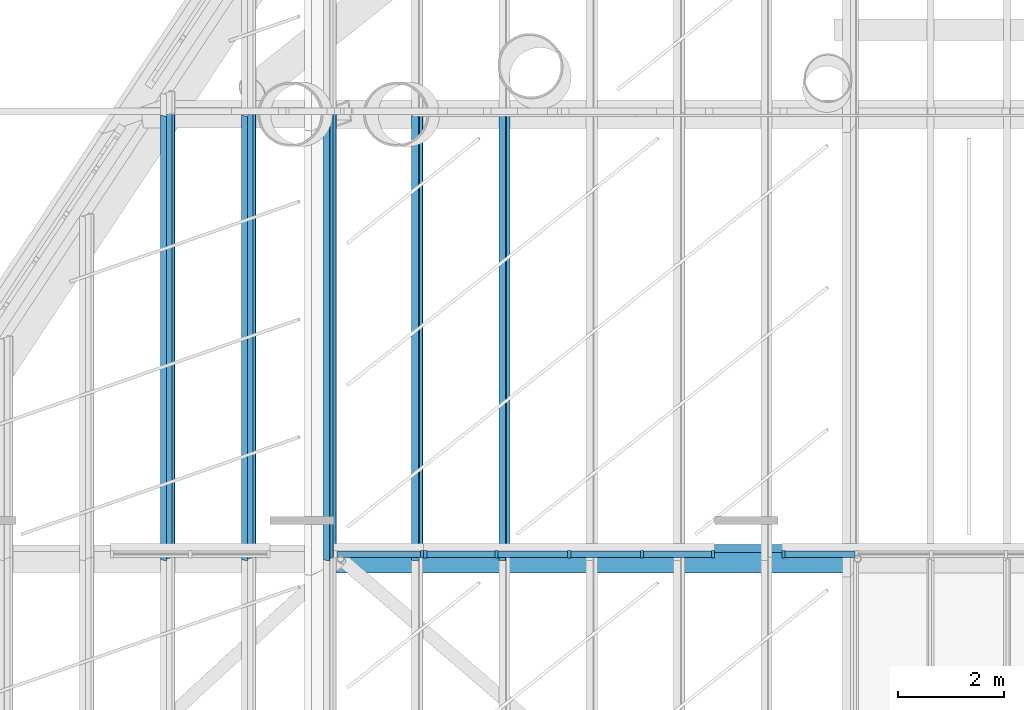
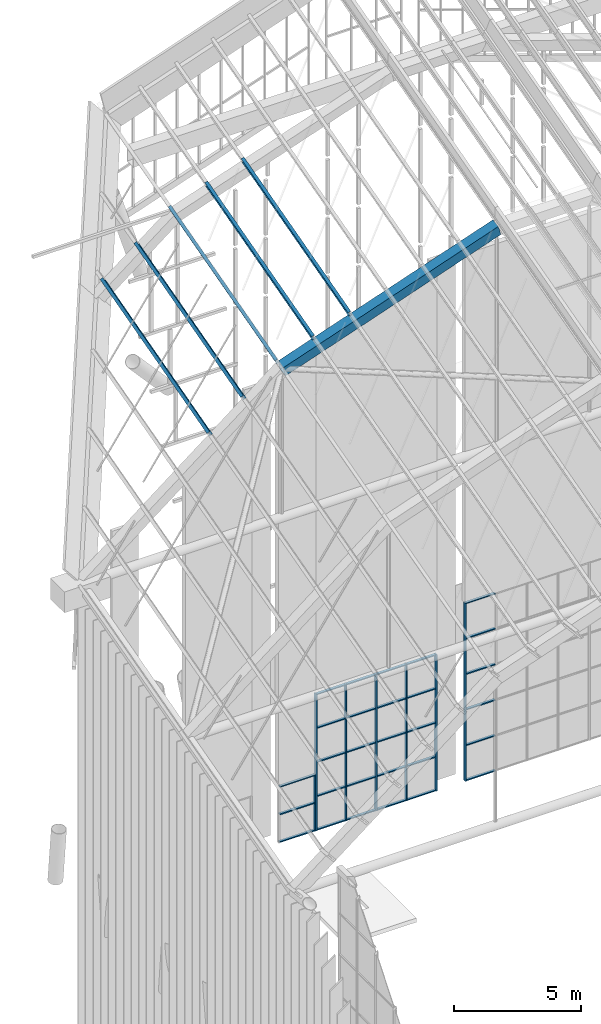
# One storey, part 55 of 126: 41 members, 1 beam, 3 elements without a shape of their own.
"""IFC4 building model written with IfcOpenShell, lengths in metres."""

from ifc_helpers import new_model, si_unit, direction, frame, origin, origin_2d, place, context, subcontext, project, spatial, polyline, rectangle, i_section, outline, extrude, material, material_profile, profile_set, type_object, element, aggregate, save


model = new_model("IFC4")

# Units and contexts
model_context = context("Model", 3, precision=1e-05, world=origin(), true_north=direction((0.0, 1.0)))
body_context = subcontext(model_context, "Body", "Model", "MODEL_VIEW")
ifc_project = project(units=[si_unit("LENGTHUNIT", "METRE"), si_unit("AREAUNIT", "SQUARE_METRE"), si_unit("VOLUMEUNIT", "CUBIC_METRE"), si_unit("PLANEANGLEUNIT", "RADIAN"), si_unit("MASSUNIT", "GRAM", prefix="KILO")], contexts=[model_context])

# Site, building, storey
site_placement = place(None, origin())
site = spatial("IfcSite", under=ifc_project, at=site_placement, CompositionType="ELEMENT")
building_placement = place(site_placement, origin())
building = spatial("IfcBuilding", under=site, at=building_placement, Name="Sava Quay Ferry Terminal", CompositionType="ELEMENT")
storey_placement = place(building_placement, frame((0.0, 0.0, 15.0)))
storey = spatial("IfcBuildingStorey", under=building, at=storey_placement, Name="L03", CompositionType="ELEMENT", Elevation=15.0)

# Beam
ifc_material_1 = material(Name="Steel S355", Category="steel")
ifc_material_profile_1 = material_profile(ifc_material_1, outline(polyline([(-0.199951171875, -0.300048828125), (0.199951171875, -0.300048828125), (0.199951171875, 0.300048828125), (-0.199951171875, 0.300048828125), (-0.199951171875, -0.300048828125)]), holes=[polyline([(-0.175048828125, -0.27490234375), (-0.175048828125, 0.27490234375), (0.175048828125, 0.27490234375), (0.175048828125, -0.27490234375), (-0.175048828125, -0.27490234375)])]), Name="Box 600x400x25 built-up")
ifc_profile_set_1 = profile_set([ifc_material_profile_1], Name="Steel S355")
beam_type = type_object("IfcBeamType", Name="D folded rib Box 600x400x25", PredefinedType="BEAM", material=ifc_profile_set_1)
beam_placement = place(storey_placement, frame((51.1298828125, 100.800048828125, 22.758056640625), z_axis=(0.945513501922, 0.0, 0.325582889112), x_axis=(-0.081534005611, 0.968136073541, 0.236779959111)))
element("IfcBeam", 1, at=beam_placement, inside=storey, type_object=beam_type, Name="Departure hall folded rib R6 seg 2", PredefinedType="BEAM", context=body_context, shape_type="SweptSolid", body=[
    extrude(outline(polyline([(-0.199951171875, -0.300048828125), (0.199951171875, -0.300048828125), (0.199951171875, 0.300048828125), (-0.199951171875, 0.300048828125), (-0.199951171875, -0.300048828125)]), holes=[polyline([(-0.175048828125, -0.27490234375), (-0.175048828125, 0.27490234375), (0.175048828125, 0.27490234375), (0.175048828125, -0.27490234375), (-0.175048828125, -0.27490234375)])]), origin(), (0.0, 0.0, 1.0), 10.3330078125),
])

# Curtain wall, member
ifc_material_2 = material(Name="Aluminium and glass curtain wall, double low-e glazed", Category="aluminium")
curtain_wall_type = type_object("IfcCurtainWallType", Name="Curtain wall CW-G gable", PredefinedType="NOTDEFINED", material=ifc_material_2)
curtain_wall_1_placement = place(storey_placement, origin())
curtain_wall_1 = element("IfcCurtainWall", 2, at=curtain_wall_1_placement, inside=storey, type_object=curtain_wall_type, Name="Curtain wall D-N L03 bay 12", PredefinedType="NOTDEFINED")
ifc_material_3 = material(Name="Aluminium EN AW-6063 T6", Category="aluminium")
ifc_material_profile_2 = material_profile(ifc_material_3, rectangle(XDim=0.14990234375, YDim=0.06005859375, at=origin_2d()), Name="Mullion 60x150 aluminium")
ifc_profile_set_2 = profile_set([ifc_material_profile_2], Name="Aluminium EN AW-6063 T6")
member_type_1 = type_object("IfcMemberType", Name="Mullion 60x150 aluminium", PredefinedType="MULLION", material=ifc_profile_set_2)
member_1_placement = place(storey_placement, frame((52.669921875, 100.885009765625, 0.0), z_axis=(0.0, 0.0, 1.0), x_axis=(0.0, 1.0, 0.0)))
member_1 = element("IfcMember", 3, at=member_1_placement, type_object=member_type_1, Name="CW64 mullion 2", PredefinedType="MULLION", context=body_context, shape_type="SweptSolid", body=[
    extrude(rectangle(XDim=0.14990234375, YDim=0.06005859375, at=origin_2d()), origin(), (0.0, 0.0, 1.0), 2.699951171875),
])

# Curtain wall, members
curtain_wall_2_placement = place(storey_placement, origin())
curtain_wall_2 = element("IfcCurtainWall", 4, at=curtain_wall_2_placement, inside=storey, type_object=curtain_wall_type, Name="Curtain wall D-N L03 bay 21", PredefinedType="NOTDEFINED")
member_2_placement = place(storey_placement, frame((52.72998046875, 100.885009765625, 0.0), z_axis=(0.0, 0.0, 1.0), x_axis=(0.0, 1.0, 0.0)))
member_2 = element("IfcMember", 5, at=member_2_placement, type_object=member_type_1, Name="CW68 mullion 1", PredefinedType="MULLION", context=body_context, shape_type="SweptSolid", body=[
    extrude(rectangle(XDim=0.14990234375, YDim=0.06005859375, at=origin_2d()), origin(), (0.0, 0.0, 1.0), 6.550048828125),
])
member_3_placement = place(storey_placement, frame((54.074951171875, 100.885009765625, 0.0), z_axis=(0.0, 0.0, 1.0), x_axis=(0.0, 1.0, 0.0)))
member_3 = element("IfcMember", 6, at=member_3_placement, type_object=member_type_1, Name="CW68 mullion 2", PredefinedType="MULLION", context=body_context, shape_type="SweptSolid", body=[
    extrude(rectangle(XDim=0.14990234375, YDim=0.06005859375, at=origin_2d()), origin(), (0.0, 0.0, 1.0), 6.550048828125),
])
member_4_placement = place(storey_placement, frame((55.449951171875, 100.885009765625, 0.0), z_axis=(0.0, 0.0, 1.0), x_axis=(0.0, 1.0, 0.0)))
member_4 = element("IfcMember", 7, at=member_4_placement, type_object=member_type_1, Name="CW68 mullion 3", PredefinedType="MULLION", context=body_context, shape_type="SweptSolid", body=[
    extrude(rectangle(XDim=0.14990234375, YDim=0.06005859375, at=origin_2d()), origin(), (0.0, 0.0, 1.0), 6.550048828125),
])
member_5_placement = place(storey_placement, frame((56.824951171875, 100.885009765625, 0.0), z_axis=(0.0, 0.0, 1.0), x_axis=(0.0, 1.0, 0.0)))
member_5 = element("IfcMember", 8, at=member_5_placement, type_object=member_type_1, Name="CW68 mullion 4", PredefinedType="MULLION", context=body_context, shape_type="SweptSolid", body=[
    extrude(rectangle(XDim=0.14990234375, YDim=0.06005859375, at=origin_2d()), origin(), (0.0, 0.0, 1.0), 6.550048828125),
])
member_6_placement = place(storey_placement, frame((58.169921875, 100.885009765625, 0.0), z_axis=(0.0, 0.0, 1.0), x_axis=(0.0, 1.0, 0.0)))
member_6 = element("IfcMember", 9, at=member_6_placement, type_object=member_type_1, Name="CW68 mullion 5", PredefinedType="MULLION", context=body_context, shape_type="SweptSolid", body=[
    extrude(rectangle(XDim=0.14990234375, YDim=0.06005859375, at=origin_2d()), origin(), (0.0, 0.0, 1.0), 6.550048828125),
])

# Curtain wall, member
curtain_wall_3_placement = place(storey_placement, origin())
curtain_wall_3 = element("IfcCurtainWall", 10, at=curtain_wall_3_placement, inside=storey, type_object=curtain_wall_type, Name="Curtain wall D-N L03 bay 31", PredefinedType="NOTDEFINED")
member_7_placement = place(storey_placement, frame((59.5, 100.885009765625, 0.0), z_axis=(0.0, 0.0, 1.0), x_axis=(0.0, 1.0, 0.0)))
member_7 = element("IfcMember", 11, at=member_7_placement, type_object=member_type_1, Name="CW72 mullion 1", PredefinedType="MULLION", context=body_context, shape_type="SweptSolid", body=[
    extrude(rectangle(XDim=0.14990234375, YDim=0.06005859375, at=origin_2d()), origin(), (0.0, 0.0, 1.0), 8.550048828125),
])

# Members
ifc_material_4 = material(Name="Steel S355", Category="steel")
ifc_material_profile_3 = material_profile(ifc_material_4, i_section(OverallWidth=0.135009765625, OverallDepth=0.27001953125, WebThickness=0.006591796875, FlangeThickness=0.01025390625, at=origin_2d()), Name="IPE 270")
ifc_profile_set_3 = profile_set([ifc_material_profile_3], Name="Steel S355")
member_type_2 = type_object("IfcMemberType", Name="Roof purlin IPE 270", PredefinedType="PURLIN", material=ifc_profile_set_3)
for number, where, z_axis, x_axis, name in (
    (12, (47.86279296875, 100.800048828125, 20.770263671875), (0.0, 0.964553254836, 0.263888269132), (-0.798620025874, 0.158817347079, -0.580502458685), "Departure hall purlin bay 7 M0.4"),
    (13, (49.39404296875, 100.800048828125, 21.966552734375), (0.0, 0.964553254836, 0.263888269132), (-0.798620025874, 0.158817347079, -0.580502458685), "Departure hall purlin bay 7 M0.5"),
    (14, (50.92529296875, 100.800048828125, 23.162841796875), (0.0, 0.964553254836, 0.263888269132), (-0.885499005285, 0.122613381034, -0.448171251232), "Departure hall purlin bay 7 V1"),
    (15, (52.575927734375, 100.800048828125, 23.731201171875), (0.0, 0.964553254836, 0.263888269132), (-0.949027169883, 0.0831760716, -0.3040216636), "Departure hall purlin bay 7 M1.1"),
    (16, (54.2265625, 100.800048828125, 24.299560546875), (0.0, 0.964553254836, 0.263888269132), (-0.949027169883, 0.0831760716, -0.3040216636), "Departure hall purlin bay 7 M1.2"),
):
    element("IfcMember", number, at=place(storey_placement, frame(where, z_axis=z_axis, x_axis=x_axis)), inside=storey, type_object=member_type_2, Name=name, PredefinedType="PURLIN", context=body_context, shape_type="SweptSolid", body=[
        extrude(i_section(OverallWidth=0.135009765625, OverallDepth=0.27001953125, WebThickness=0.006591796875, FlangeThickness=0.01025390625, at=origin_2d()), origin(), (0.0, 0.0, 1.0), 8.70849609375),
    ])

# Member
ifc_material_5 = material(Name="Aluminium EN AW-6063 T6", Category="aluminium")
ifc_material_profile_4 = material_profile(ifc_material_5, rectangle(XDim=0.1201171875, YDim=0.050048828125, at=origin_2d()), Name="Transom 50x120 aluminium")
ifc_profile_set_4 = profile_set([ifc_material_profile_4], Name="Aluminium EN AW-6063 T6")
member_type_3 = type_object("IfcMemberType", Name="Transom 50x120 aluminium", PredefinedType="USERDEFINED", material=ifc_profile_set_4)
member_8_placement = place(storey_placement, frame((51.06005859375, 100.885009765625, 0.02490234375), z_axis=(1.0, 0.0, 0.0), x_axis=(0.0, 1.0, 0.0)))
member_8 = element("IfcMember", 17, at=member_8_placement, type_object=member_type_3, Name="CW64 transom 1.1", ObjectType="TRANSOM", PredefinedType="USERDEFINED", context=body_context, shape_type="SweptSolid", body=[
    extrude(rectangle(XDim=0.1201171875, YDim=0.050048828125, at=origin_2d()), origin(), (0.0, 0.0, 1.0), 1.579833984375),
])

member_9_placement = place(storey_placement, frame((51.06005859375, 100.885009765625, 1.35009765625), z_axis=(1.0, 0.0, 0.0), x_axis=(0.0, 1.0, 0.0)))
member_9 = element("IfcMember", 18, at=member_9_placement, type_object=member_type_3, Name="CW64 transom 1.2", ObjectType="TRANSOM", PredefinedType="USERDEFINED", context=body_context, shape_type="SweptSolid", body=[
    extrude(rectangle(XDim=0.1201171875, YDim=0.050048828125, at=origin_2d()), origin(), (0.0, 0.0, 1.0), 1.579833984375),
])

member_10_placement = place(storey_placement, frame((51.06005859375, 100.885009765625, 2.675048828125), z_axis=(1.0, 0.0, 0.0), x_axis=(0.0, 1.0, 0.0)))
member_10 = element("IfcMember", 19, at=member_10_placement, type_object=member_type_3, Name="CW64 transom 1.3", ObjectType="TRANSOM", PredefinedType="USERDEFINED", context=body_context, shape_type="SweptSolid", body=[
    extrude(rectangle(XDim=0.1201171875, YDim=0.050048828125, at=origin_2d()), origin(), (0.0, 0.0, 1.0), 1.579833984375),
])

aggregate(curtain_wall_1, [member_1, member_8, member_9, member_10])

member_11_placement = place(storey_placement, frame((52.760009765625, 100.885009765625, 0.02490234375), z_axis=(1.0, 0.0, 0.0), x_axis=(0.0, 1.0, 0.0)))
member_11 = element("IfcMember", 20, at=member_11_placement, type_object=member_type_3, Name="CW68 transom 1.1", ObjectType="TRANSOM", PredefinedType="USERDEFINED", context=body_context, shape_type="SweptSolid", body=[
    extrude(rectangle(XDim=0.1201171875, YDim=0.050048828125, at=origin_2d()), origin(), (0.0, 0.0, 1.0), 1.284912109375),
])

member_12_placement = place(storey_placement, frame((52.760009765625, 100.885009765625, 1.637451171875), z_axis=(1.0, 0.0, 0.0), x_axis=(0.0, 1.0, 0.0)))
member_12 = element("IfcMember", 21, at=member_12_placement, type_object=member_type_3, Name="CW68 transom 1.2", ObjectType="TRANSOM", PredefinedType="USERDEFINED", context=body_context, shape_type="SweptSolid", body=[
    extrude(rectangle(XDim=0.1201171875, YDim=0.050048828125, at=origin_2d()), origin(), (0.0, 0.0, 1.0), 1.284912109375),
])

member_13_placement = place(storey_placement, frame((52.760009765625, 100.885009765625, 3.27490234375), z_axis=(1.0, 0.0, 0.0), x_axis=(0.0, 1.0, 0.0)))
member_13 = element("IfcMember", 22, at=member_13_placement, type_object=member_type_3, Name="CW68 transom 1.3", ObjectType="TRANSOM", PredefinedType="USERDEFINED", context=body_context, shape_type="SweptSolid", body=[
    extrude(rectangle(XDim=0.1201171875, YDim=0.050048828125, at=origin_2d()), origin(), (0.0, 0.0, 1.0), 1.284912109375),
])

member_14_placement = place(storey_placement, frame((52.760009765625, 100.885009765625, 4.91259765625), z_axis=(1.0, 0.0, 0.0), x_axis=(0.0, 1.0, 0.0)))
member_14 = element("IfcMember", 23, at=member_14_placement, type_object=member_type_3, Name="CW68 transom 1.4", ObjectType="TRANSOM", PredefinedType="USERDEFINED", context=body_context, shape_type="SweptSolid", body=[
    extrude(rectangle(XDim=0.1201171875, YDim=0.050048828125, at=origin_2d()), origin(), (0.0, 0.0, 1.0), 1.284912109375),
])

member_15_placement = place(storey_placement, frame((52.760009765625, 100.885009765625, 6.52490234375), z_axis=(1.0, 0.0, 0.0), x_axis=(0.0, 1.0, 0.0)))
member_15 = element("IfcMember", 24, at=member_15_placement, type_object=member_type_3, Name="CW68 transom 1.5", ObjectType="TRANSOM", PredefinedType="USERDEFINED", context=body_context, shape_type="SweptSolid", body=[
    extrude(rectangle(XDim=0.1201171875, YDim=0.050048828125, at=origin_2d()), origin(), (0.0, 0.0, 1.0), 1.284912109375),
])

member_16_placement = place(storey_placement, frame((54.10498046875, 100.885009765625, 0.02490234375), z_axis=(1.0, 0.0, 0.0), x_axis=(0.0, 1.0, 0.0)))
member_16 = element("IfcMember", 25, at=member_16_placement, type_object=member_type_3, Name="CW68 transom 2.1", ObjectType="TRANSOM", PredefinedType="USERDEFINED", context=body_context, shape_type="SweptSolid", body=[
    extrude(rectangle(XDim=0.1201171875, YDim=0.050048828125, at=origin_2d()), origin(), (0.0, 0.0, 1.0), 1.31494140625),
])

member_17_placement = place(storey_placement, frame((54.10498046875, 100.885009765625, 1.637451171875), z_axis=(1.0, 0.0, 0.0), x_axis=(0.0, 1.0, 0.0)))
member_17 = element("IfcMember", 26, at=member_17_placement, type_object=member_type_3, Name="CW68 transom 2.2", ObjectType="TRANSOM", PredefinedType="USERDEFINED", context=body_context, shape_type="SweptSolid", body=[
    extrude(rectangle(XDim=0.1201171875, YDim=0.050048828125, at=origin_2d()), origin(), (0.0, 0.0, 1.0), 1.31494140625),
])

member_18_placement = place(storey_placement, frame((54.10498046875, 100.885009765625, 3.27490234375), z_axis=(1.0, 0.0, 0.0), x_axis=(0.0, 1.0, 0.0)))
member_18 = element("IfcMember", 27, at=member_18_placement, type_object=member_type_3, Name="CW68 transom 2.3", ObjectType="TRANSOM", PredefinedType="USERDEFINED", context=body_context, shape_type="SweptSolid", body=[
    extrude(rectangle(XDim=0.1201171875, YDim=0.050048828125, at=origin_2d()), origin(), (0.0, 0.0, 1.0), 1.31494140625),
])

member_19_placement = place(storey_placement, frame((54.10498046875, 100.885009765625, 4.91259765625), z_axis=(1.0, 0.0, 0.0), x_axis=(0.0, 1.0, 0.0)))
member_19 = element("IfcMember", 28, at=member_19_placement, type_object=member_type_3, Name="CW68 transom 2.4", ObjectType="TRANSOM", PredefinedType="USERDEFINED", context=body_context, shape_type="SweptSolid", body=[
    extrude(rectangle(XDim=0.1201171875, YDim=0.050048828125, at=origin_2d()), origin(), (0.0, 0.0, 1.0), 1.31494140625),
])

member_20_placement = place(storey_placement, frame((54.10498046875, 100.885009765625, 6.52490234375), z_axis=(1.0, 0.0, 0.0), x_axis=(0.0, 1.0, 0.0)))
member_20 = element("IfcMember", 29, at=member_20_placement, type_object=member_type_3, Name="CW68 transom 2.5", ObjectType="TRANSOM", PredefinedType="USERDEFINED", context=body_context, shape_type="SweptSolid", body=[
    extrude(rectangle(XDim=0.1201171875, YDim=0.050048828125, at=origin_2d()), origin(), (0.0, 0.0, 1.0), 1.31494140625),
])

member_21_placement = place(storey_placement, frame((55.47998046875, 100.885009765625, 0.02490234375), z_axis=(1.0, 0.0, 0.0), x_axis=(0.0, 1.0, 0.0)))
member_21 = element("IfcMember", 30, at=member_21_placement, type_object=member_type_3, Name="CW68 transom 3.1", ObjectType="TRANSOM", PredefinedType="USERDEFINED", context=body_context, shape_type="SweptSolid", body=[
    extrude(rectangle(XDim=0.1201171875, YDim=0.050048828125, at=origin_2d()), origin(), (0.0, 0.0, 1.0), 1.31494140625),
])

member_22_placement = place(storey_placement, frame((55.47998046875, 100.885009765625, 1.637451171875), z_axis=(1.0, 0.0, 0.0), x_axis=(0.0, 1.0, 0.0)))
member_22 = element("IfcMember", 31, at=member_22_placement, type_object=member_type_3, Name="CW68 transom 3.2", ObjectType="TRANSOM", PredefinedType="USERDEFINED", context=body_context, shape_type="SweptSolid", body=[
    extrude(rectangle(XDim=0.1201171875, YDim=0.050048828125, at=origin_2d()), origin(), (0.0, 0.0, 1.0), 1.31494140625),
])

member_23_placement = place(storey_placement, frame((55.47998046875, 100.885009765625, 3.27490234375), z_axis=(1.0, 0.0, 0.0), x_axis=(0.0, 1.0, 0.0)))
member_23 = element("IfcMember", 32, at=member_23_placement, type_object=member_type_3, Name="CW68 transom 3.3", ObjectType="TRANSOM", PredefinedType="USERDEFINED", context=body_context, shape_type="SweptSolid", body=[
    extrude(rectangle(XDim=0.1201171875, YDim=0.050048828125, at=origin_2d()), origin(), (0.0, 0.0, 1.0), 1.31494140625),
])

member_24_placement = place(storey_placement, frame((55.47998046875, 100.885009765625, 4.91259765625), z_axis=(1.0, 0.0, 0.0), x_axis=(0.0, 1.0, 0.0)))
member_24 = element("IfcMember", 33, at=member_24_placement, type_object=member_type_3, Name="CW68 transom 3.4", ObjectType="TRANSOM", PredefinedType="USERDEFINED", context=body_context, shape_type="SweptSolid", body=[
    extrude(rectangle(XDim=0.1201171875, YDim=0.050048828125, at=origin_2d()), origin(), (0.0, 0.0, 1.0), 1.31494140625),
])

member_25_placement = place(storey_placement, frame((55.47998046875, 100.885009765625, 6.52490234375), z_axis=(1.0, 0.0, 0.0), x_axis=(0.0, 1.0, 0.0)))
member_25 = element("IfcMember", 34, at=member_25_placement, type_object=member_type_3, Name="CW68 transom 3.5", ObjectType="TRANSOM", PredefinedType="USERDEFINED", context=body_context, shape_type="SweptSolid", body=[
    extrude(rectangle(XDim=0.1201171875, YDim=0.050048828125, at=origin_2d()), origin(), (0.0, 0.0, 1.0), 1.31494140625),
])

member_26_placement = place(storey_placement, frame((56.85498046875, 100.885009765625, 0.02490234375), z_axis=(1.0, 0.0, 0.0), x_axis=(0.0, 1.0, 0.0)))
member_26 = element("IfcMember", 35, at=member_26_placement, type_object=member_type_3, Name="CW68 transom 4.1", ObjectType="TRANSOM", PredefinedType="USERDEFINED", context=body_context, shape_type="SweptSolid", body=[
    extrude(rectangle(XDim=0.1201171875, YDim=0.050048828125, at=origin_2d()), origin(), (0.0, 0.0, 1.0), 1.284912109375),
])

member_27_placement = place(storey_placement, frame((56.85498046875, 100.885009765625, 1.637451171875), z_axis=(1.0, 0.0, 0.0), x_axis=(0.0, 1.0, 0.0)))
member_27 = element("IfcMember", 36, at=member_27_placement, type_object=member_type_3, Name="CW68 transom 4.2", ObjectType="TRANSOM", PredefinedType="USERDEFINED", context=body_context, shape_type="SweptSolid", body=[
    extrude(rectangle(XDim=0.1201171875, YDim=0.050048828125, at=origin_2d()), origin(), (0.0, 0.0, 1.0), 1.284912109375),
])

member_28_placement = place(storey_placement, frame((56.85498046875, 100.885009765625, 3.27490234375), z_axis=(1.0, 0.0, 0.0), x_axis=(0.0, 1.0, 0.0)))
member_28 = element("IfcMember", 37, at=member_28_placement, type_object=member_type_3, Name="CW68 transom 4.3", ObjectType="TRANSOM", PredefinedType="USERDEFINED", context=body_context, shape_type="SweptSolid", body=[
    extrude(rectangle(XDim=0.1201171875, YDim=0.050048828125, at=origin_2d()), origin(), (0.0, 0.0, 1.0), 1.284912109375),
])

member_29_placement = place(storey_placement, frame((56.85498046875, 100.885009765625, 4.91259765625), z_axis=(1.0, 0.0, 0.0), x_axis=(0.0, 1.0, 0.0)))
member_29 = element("IfcMember", 38, at=member_29_placement, type_object=member_type_3, Name="CW68 transom 4.4", ObjectType="TRANSOM", PredefinedType="USERDEFINED", context=body_context, shape_type="SweptSolid", body=[
    extrude(rectangle(XDim=0.1201171875, YDim=0.050048828125, at=origin_2d()), origin(), (0.0, 0.0, 1.0), 1.284912109375),
])

member_30_placement = place(storey_placement, frame((56.85498046875, 100.885009765625, 6.52490234375), z_axis=(1.0, 0.0, 0.0), x_axis=(0.0, 1.0, 0.0)))
member_30 = element("IfcMember", 39, at=member_30_placement, type_object=member_type_3, Name="CW68 transom 4.5", ObjectType="TRANSOM", PredefinedType="USERDEFINED", context=body_context, shape_type="SweptSolid", body=[
    extrude(rectangle(XDim=0.1201171875, YDim=0.050048828125, at=origin_2d()), origin(), (0.0, 0.0, 1.0), 1.284912109375),
])

aggregate(curtain_wall_2, [member_2, member_3, member_4, member_5, member_6, member_11, member_12, member_13, member_14, member_15, member_16, member_17, member_18, member_19, member_20, member_21, member_22, member_23, member_24, member_25, member_26, member_27, member_28, member_29, member_30])

member_31_placement = place(storey_placement, frame((59.530029296875, 100.885009765625, 0.02490234375), z_axis=(1.0, 0.0, 0.0), x_axis=(0.0, 1.0, 0.0)))
member_31 = element("IfcMember", 40, at=member_31_placement, type_object=member_type_3, Name="CW72 transom 1.1", ObjectType="TRANSOM", PredefinedType="USERDEFINED", context=body_context, shape_type="SweptSolid", body=[
    extrude(rectangle(XDim=0.1201171875, YDim=0.050048828125, at=origin_2d()), origin(), (0.0, 0.0, 1.0), 1.322021484375),
])

member_32_placement = place(storey_placement, frame((59.530029296875, 100.885009765625, 1.7099609375), z_axis=(1.0, 0.0, 0.0), x_axis=(0.0, 1.0, 0.0)))
member_32 = element("IfcMember", 41, at=member_32_placement, type_object=member_type_3, Name="CW72 transom 1.2", ObjectType="TRANSOM", PredefinedType="USERDEFINED", context=body_context, shape_type="SweptSolid", body=[
    extrude(rectangle(XDim=0.1201171875, YDim=0.050048828125, at=origin_2d()), origin(), (0.0, 0.0, 1.0), 1.322021484375),
])

member_33_placement = place(storey_placement, frame((59.530029296875, 100.885009765625, 3.419921875), z_axis=(1.0, 0.0, 0.0), x_axis=(0.0, 1.0, 0.0)))
member_33 = element("IfcMember", 42, at=member_33_placement, type_object=member_type_3, Name="CW72 transom 1.3", ObjectType="TRANSOM", PredefinedType="USERDEFINED", context=body_context, shape_type="SweptSolid", body=[
    extrude(rectangle(XDim=0.1201171875, YDim=0.050048828125, at=origin_2d()), origin(), (0.0, 0.0, 1.0), 1.322021484375),
])

member_34_placement = place(storey_placement, frame((59.530029296875, 100.885009765625, 5.1298828125), z_axis=(1.0, 0.0, 0.0), x_axis=(0.0, 1.0, 0.0)))
member_34 = element("IfcMember", 43, at=member_34_placement, type_object=member_type_3, Name="CW72 transom 1.4", ObjectType="TRANSOM", PredefinedType="USERDEFINED", context=body_context, shape_type="SweptSolid", body=[
    extrude(rectangle(XDim=0.1201171875, YDim=0.050048828125, at=origin_2d()), origin(), (0.0, 0.0, 1.0), 1.322021484375),
])

member_35_placement = place(storey_placement, frame((59.530029296875, 100.885009765625, 6.840087890625), z_axis=(1.0, 0.0, 0.0), x_axis=(0.0, 1.0, 0.0)))
member_35 = element("IfcMember", 44, at=member_35_placement, type_object=member_type_3, Name="CW72 transom 1.5", ObjectType="TRANSOM", PredefinedType="USERDEFINED", context=body_context, shape_type="SweptSolid", body=[
    extrude(rectangle(XDim=0.1201171875, YDim=0.050048828125, at=origin_2d()), origin(), (0.0, 0.0, 1.0), 1.322021484375),
])

member_36_placement = place(storey_placement, frame((59.530029296875, 100.885009765625, 8.52490234375), z_axis=(1.0, 0.0, 0.0), x_axis=(0.0, 1.0, 0.0)))
member_36 = element("IfcMember", 45, at=member_36_placement, type_object=member_type_3, Name="CW72 transom 1.6", ObjectType="TRANSOM", PredefinedType="USERDEFINED", context=body_context, shape_type="SweptSolid", body=[
    extrude(rectangle(XDim=0.1201171875, YDim=0.050048828125, at=origin_2d()), origin(), (0.0, 0.0, 1.0), 1.322021484375),
])

aggregate(curtain_wall_3, [member_7, member_31, member_32, member_33, member_34, member_35, member_36])

save(model, "model.ifc")
